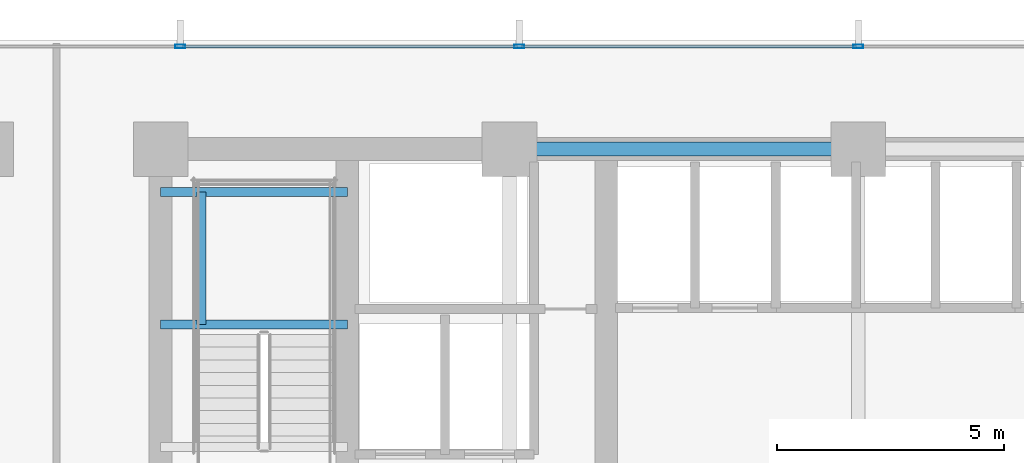
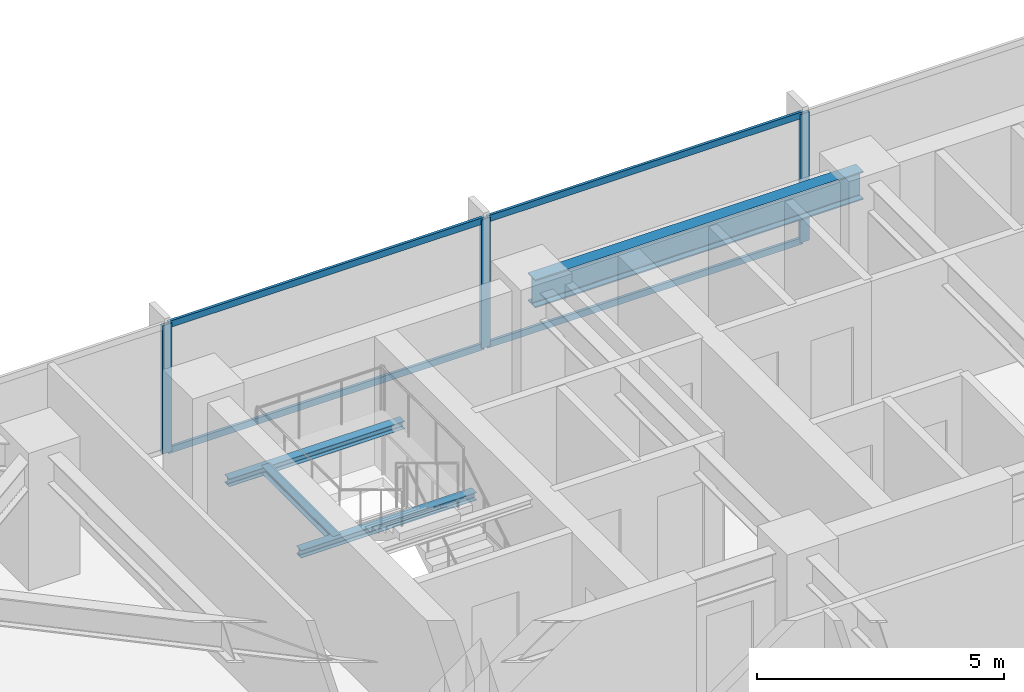
# One storey, part 18 of 32: 7 members, 4 beams, 1 element without a shape of its own.
"""IFC4 building model written with IfcOpenShell, lengths in metres."""

from ifc_helpers import new_model, si_unit, direction, frame, origin, origin_2d, place, context, subcontext, project, spatial, hollow_rectangle, i_section, extrude, material, material_profile, profile_set, type_object, element, aggregate, save


model = new_model("IFC4")

# Units and contexts
model_context = context("Model", 3, precision=1e-05, world=origin(), true_north=direction((0.0, 1.0)))
body_context = subcontext(model_context, "Body", "Model", "MODEL_VIEW")
ifc_project = project(units=[si_unit("LENGTHUNIT", "METRE"), si_unit("AREAUNIT", "SQUARE_METRE"), si_unit("VOLUMEUNIT", "CUBIC_METRE"), si_unit("PLANEANGLEUNIT", "RADIAN"), si_unit("MASSUNIT", "GRAM", prefix="KILO")], contexts=[model_context])

# Site, building, storey
site_placement = place(None, origin())
site = spatial("IfcSite", under=ifc_project, at=site_placement, CompositionType="ELEMENT")
building_placement = place(site_placement, origin())
building = spatial("IfcBuilding", under=site, at=building_placement, Name="Yelkora Congress Tower", CompositionType="ELEMENT")
storey_placement = place(building_placement, frame((0.0, 0.0, 40.60009765625)))
storey = spatial("IfcBuildingStorey", under=building, at=storey_placement, Name="L09", CompositionType="ELEMENT", Elevation=40.60009765625)

# Beams
ifc_material_1 = material(Name="Steel S355J2", Category="steel")
ifc_material_profile_1 = material_profile(ifc_material_1, i_section(OverallWidth=0.300048828125, OverallDepth=0.699951171875, WebThickness=0.01708984375, FlangeThickness=0.031982421875, FilletRadius=0.027099609375, at=origin_2d()), Name="HEB 700")
ifc_profile_set_1 = profile_set([ifc_material_profile_1], Name="Steel S355J2")
beam_type_1 = type_object("IfcBeamType", Name="BM-GIRD-HEB700", PredefinedType="BEAM", material=ifc_profile_set_1)
beam_1_placement = place(storey_placement, frame((30.719970703125, 46.199951171875, 2.829833984375), z_axis=(1.0, 0.0, 0.0), x_axis=(0.0, 1.0, 0.0)))
element("IfcBeam", 1, at=beam_1_placement, inside=storey, type_object=beam_type_1, Name="L09 Core North Girder 3", PredefinedType="BEAM", context=body_context, shape_type="SweptSolid", body=[
    extrude(i_section(OverallWidth=0.300048828125, OverallDepth=0.699951171875, WebThickness=0.01708984375, FlangeThickness=0.031982421875, FilletRadius=0.027099609375, at=origin_2d()), origin(), (0.0, 0.0, 1.0), 7.679931640625),
])
ifc_material_profile_2 = material_profile(ifc_material_1, i_section(OverallWidth=0.199951171875, OverallDepth=0.18994140625, WebThickness=0.006591796875, FlangeThickness=0.010009765625, FilletRadius=0.01806640625, at=origin_2d()), Name="HEA 200")
ifc_profile_set_2 = profile_set([ifc_material_profile_2], Name="Steel S355J2")
beam_type_2 = type_object("IfcBeamType", Name="BM-LAND-HEA200", PredefinedType="BEAM", material=ifc_profile_set_2)
for number, where, z_axis, x_axis, name in (
    (2, (23.0400390625, 42.340087890625, 1.384521484375), (1.0, 0.0, 0.0), (0.0, 1.0, 0.0), "ST-01 L09 Landing Header Beam 1S"),
    (3, (23.0400390625, 45.25, 1.384521484375), (1.0, 0.0, 0.0), (0.0, 1.0, 0.0), "ST-01 L09 Landing Header Beam 1N"),
):
    element("IfcBeam", number, at=place(storey_placement, frame(where, z_axis=z_axis, x_axis=x_axis)), inside=storey, type_object=beam_type_2, Name=name, PredefinedType="BEAM", context=body_context, shape_type="SweptSolid", body=[
        extrude(i_section(OverallWidth=0.199951171875, OverallDepth=0.18994140625, WebThickness=0.006591796875, FlangeThickness=0.010009765625, FilletRadius=0.01806640625, at=origin_2d()), origin(), (0.0, 0.0, 1.0), 4.10986328125),
    ])
beam_2_placement = place(storey_placement, frame((23.93994140625, 42.340087890625, 1.384521484375), z_axis=(0.0, 1.0, 0.0), x_axis=(-1.0, 0.0, 0.0)))
element("IfcBeam", 4, at=beam_2_placement, inside=storey, type_object=beam_type_2, Name="ST-01 L09 Landing Trimmer Beam 1M", PredefinedType="BEAM", context=body_context, shape_type="SweptSolid", body=[
    extrude(i_section(OverallWidth=0.199951171875, OverallDepth=0.18994140625, WebThickness=0.006591796875, FlangeThickness=0.010009765625, FilletRadius=0.01806640625, at=origin_2d()), origin(), (0.0, 0.0, 1.0), 2.909912109375),
])

# Curtain wall, members
ifc_material_2 = material(Name="Anodised aluminium and insulated glass", Category="aluminium")
curtain_wall_type = type_object("IfcCurtainWallType", Name="CW-SYS-B1", PredefinedType="NOTDEFINED", material=ifc_material_2)
curtain_wall_placement = place(storey_placement, origin())
curtain_wall = element("IfcCurtainWall", 5, at=curtain_wall_placement, inside=storey, type_object=curtain_wall_type, Name="L09 Unitised Curtain Wall 10", PredefinedType="NOTDEFINED")
ifc_material_3 = material(Name="Anodised aluminium 6063-T6", Category="aluminium")
ifc_material_profile_3 = material_profile(ifc_material_3, hollow_rectangle(XDim=0.074951171875, YDim=0.219970703125, WallThickness=0.0048828125, at=origin_2d()), Name="ALU 75x220x5")
ifc_profile_set_3 = profile_set([ifc_material_profile_3], Name="Anodised aluminium 6063-T6")
member_type_1 = type_object("IfcMemberType", Name="MEM-ML-B1", PredefinedType="MULLION", material=ifc_profile_set_3)
member_1_placement = place(storey_placement, frame((23.469970703125, 48.4599609375, 0.0), z_axis=(0.0, 0.0, 1.0), x_axis=(0.0, 1.0, 0.0)))
member_1 = element("IfcMember", 6, at=member_1_placement, type_object=member_type_1, Name="CW-B1 mullion 3", PredefinedType="MULLION", context=body_context, shape_type="SweptSolid", body=[
    extrude(hollow_rectangle(XDim=0.074951171875, YDim=0.219970703125, WallThickness=0.0048828125, at=origin_2d()), origin(), (0.0, 0.0, 1.0), 3.179931640625),
])
member_2_placement = place(storey_placement, frame((30.93505859375, 48.4599609375, 0.0), z_axis=(0.0, 0.0, 1.0), x_axis=(0.0, 1.0, 0.0)))
member_2 = element("IfcMember", 7, at=member_2_placement, type_object=member_type_1, Name="CW-B1 mullion 4", PredefinedType="MULLION", context=body_context, shape_type="SweptSolid", body=[
    extrude(hollow_rectangle(XDim=0.074951171875, YDim=0.219970703125, WallThickness=0.0048828125, at=origin_2d()), origin(), (0.0, 0.0, 1.0), 3.179931640625),
])
member_3_placement = place(storey_placement, frame((38.39990234375, 48.4599609375, 0.0), z_axis=(0.0, 0.0, 1.0), x_axis=(0.0, 1.0, 0.0)))
member_3 = element("IfcMember", 8, at=member_3_placement, type_object=member_type_1, Name="CW-B1 mullion 5", PredefinedType="MULLION", context=body_context, shape_type="SweptSolid", body=[
    extrude(hollow_rectangle(XDim=0.074951171875, YDim=0.219970703125, WallThickness=0.0048828125, at=origin_2d()), origin(), (0.0, 0.0, 1.0), 3.179931640625),
])
ifc_material_profile_4 = material_profile(ifc_material_3, hollow_rectangle(XDim=0.06494140625, YDim=0.159912109375, WallThickness=0.00390625, at=origin_2d()), Name="ALU 65x160x4")
ifc_profile_set_4 = profile_set([ifc_material_profile_4], Name="Anodised aluminium 6063-T6")
member_type_2 = type_object("IfcMemberType", Name="MEM-TR-B1", PredefinedType="USERDEFINED", material=ifc_profile_set_4)
member_4_placement = place(storey_placement, frame((23.507568359375, 48.4599609375, 0.032470703125), z_axis=(1.0, 0.0, 0.0), x_axis=(0.0, 1.0, 0.0)))
member_4 = element("IfcMember", 9, at=member_4_placement, type_object=member_type_2, Name="CW-B1 transom 3.1", ObjectType="TRANSOM", PredefinedType="USERDEFINED", context=body_context, shape_type="SweptSolid", body=[
    extrude(hollow_rectangle(XDim=0.06494140625, YDim=0.159912109375, WallThickness=0.00390625, at=origin_2d()), origin(), (0.0, 0.0, 1.0), 7.389892578125),
])
member_5_placement = place(storey_placement, frame((23.507568359375, 48.4599609375, 3.1474609375), z_axis=(1.0, 0.0, 0.0), x_axis=(0.0, 1.0, 0.0)))
member_5 = element("IfcMember", 10, at=member_5_placement, type_object=member_type_2, Name="CW-B1 transom 3.2", ObjectType="TRANSOM", PredefinedType="USERDEFINED", context=body_context, shape_type="SweptSolid", body=[
    extrude(hollow_rectangle(XDim=0.06494140625, YDim=0.159912109375, WallThickness=0.00390625, at=origin_2d()), origin(), (0.0, 0.0, 1.0), 7.389892578125),
])
member_6_placement = place(storey_placement, frame((30.972412109375, 48.4599609375, 0.032470703125), z_axis=(1.0, 0.0, 0.0), x_axis=(0.0, 1.0, 0.0)))
member_6 = element("IfcMember", 11, at=member_6_placement, type_object=member_type_2, Name="CW-B1 transom 4.1", ObjectType="TRANSOM", PredefinedType="USERDEFINED", context=body_context, shape_type="SweptSolid", body=[
    extrude(hollow_rectangle(XDim=0.06494140625, YDim=0.159912109375, WallThickness=0.00390625, at=origin_2d()), origin(), (0.0, 0.0, 1.0), 7.39013671875),
])
member_7_placement = place(storey_placement, frame((30.972412109375, 48.4599609375, 3.1474609375), z_axis=(1.0, 0.0, 0.0), x_axis=(0.0, 1.0, 0.0)))
member_7 = element("IfcMember", 12, at=member_7_placement, type_object=member_type_2, Name="CW-B1 transom 4.2", ObjectType="TRANSOM", PredefinedType="USERDEFINED", context=body_context, shape_type="SweptSolid", body=[
    extrude(hollow_rectangle(XDim=0.06494140625, YDim=0.159912109375, WallThickness=0.00390625, at=origin_2d()), origin(), (0.0, 0.0, 1.0), 7.39013671875),
])
aggregate(curtain_wall, [member_1, member_2, member_3, member_4, member_5, member_6, member_7])

save(model, "model.ifc")
